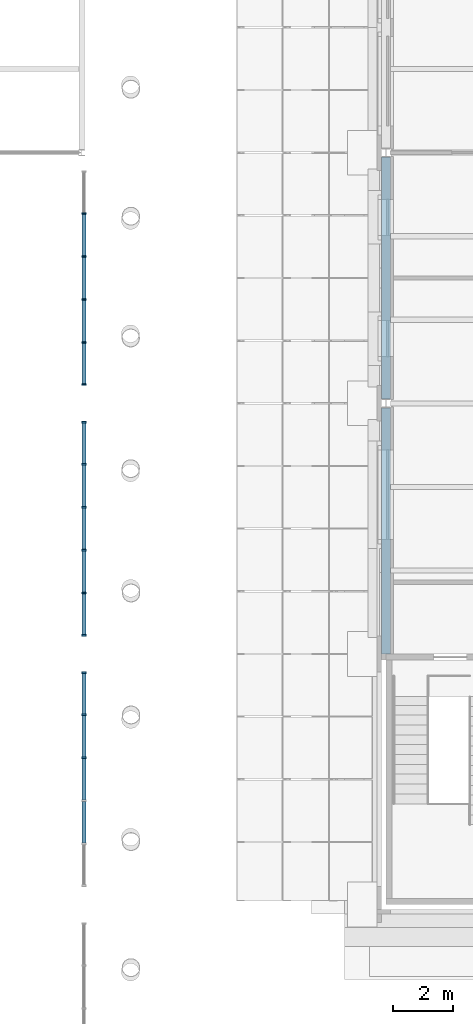
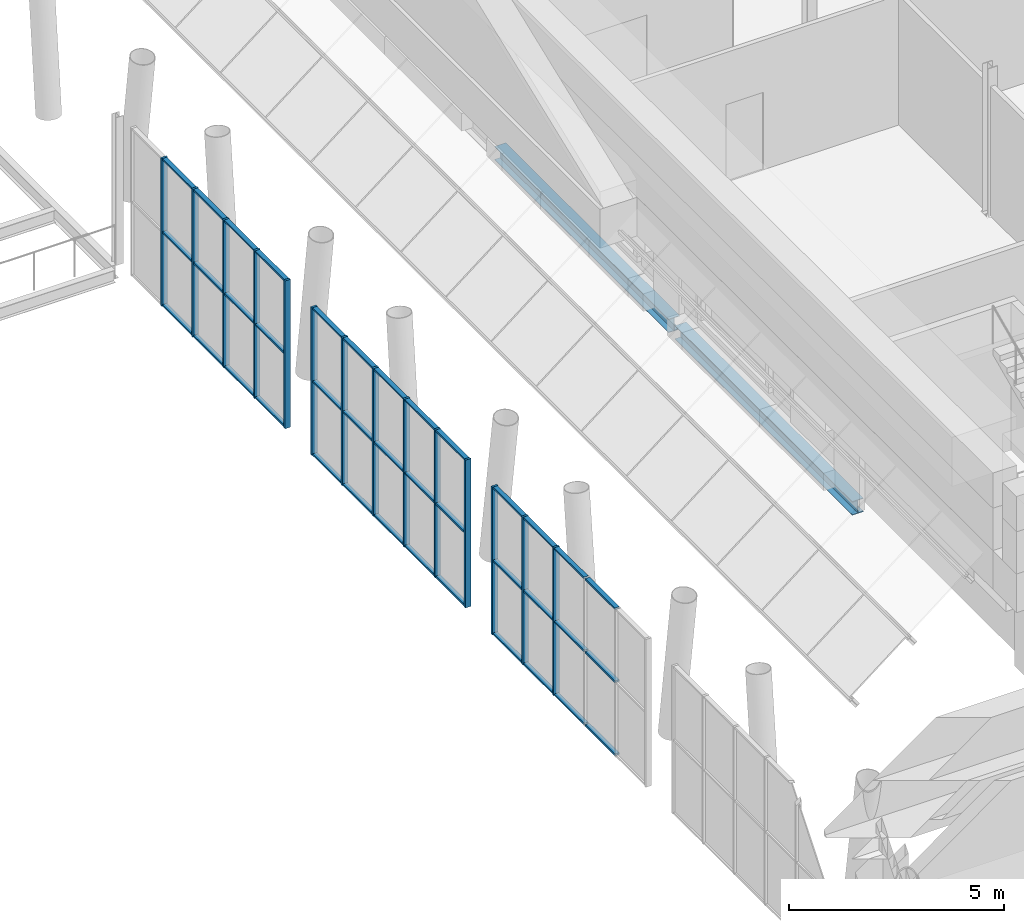
# One storey, part 27 of 76: 53 members, 2 beams, 3 elements without a shape of their own.
"""IFC4 building model written with IfcOpenShell, lengths in metres."""

from ifc_helpers import new_model, si_unit, direction, frame, origin, origin_2d, place, context, subcontext, project, spatial, rectangle, i_section, extrude, material, material_profile, profile_set, type_object, element, aggregate, save


model = new_model("IFC4")

# Units and contexts
model_context = context("Model", 3, precision=1e-05, world=origin(), true_north=direction((0.0, 1.0)))
body_context = subcontext(model_context, "Body", "Model", "MODEL_VIEW")
ifc_project = project(units=[si_unit("LENGTHUNIT", "METRE"), si_unit("AREAUNIT", "SQUARE_METRE"), si_unit("VOLUMEUNIT", "CUBIC_METRE"), si_unit("PLANEANGLEUNIT", "RADIAN"), si_unit("MASSUNIT", "GRAM", prefix="KILO")], contexts=[model_context])

# Site, building, storey
site_placement = place(None, origin())
site = spatial("IfcSite", under=ifc_project, at=site_placement, CompositionType="ELEMENT")
building_placement = place(site_placement, origin())
building = spatial("IfcBuilding", under=site, at=building_placement, Name="Sava Quay Ferry Terminal", CompositionType="ELEMENT")
storey_placement = place(building_placement, frame((0.0, 0.0, 10.800048828125)))
storey = spatial("IfcBuildingStorey", under=building, at=storey_placement, Name="L02", CompositionType="ELEMENT", Elevation=10.800048828125)

# Beams
ifc_material_1 = material(Name="Steel S355", Category="steel")
ifc_material_profile_1 = material_profile(ifc_material_1, i_section(OverallWidth=0.300048828125, OverallDepth=0.389892578125, WebThickness=0.010986328125, FlangeThickness=0.01904296875, at=origin_2d()), Name="HE 400 A")
ifc_profile_set_1 = profile_set([ifc_material_profile_1], Name="Steel S355")
beam_type = type_object("IfcBeamType", Name="Girder HE 400 A", PredefinedType="BEAM", material=ifc_profile_set_1)
beam_1_placement = place(storey_placement, frame((92.39990234375, 67.199951171875, -0.324951171875), z_axis=(0.0, 1.0, 0.0), x_axis=(-1.0, 0.0, 0.0)))
element("IfcBeam", 1, at=beam_1_placement, inside=storey, type_object=beam_type, Name="Girder L02", PredefinedType="BEAM", context=body_context, shape_type="SweptSolid", body=[
    extrude(i_section(OverallWidth=0.300048828125, OverallDepth=0.389892578125, WebThickness=0.010986328125, FlangeThickness=0.01904296875, at=origin_2d()), origin(), (0.0, 0.0, 1.0), 8.25),
])
beam_2_placement = place(storey_placement, frame((92.39990234375, 75.75, -0.324951171875), z_axis=(0.0, 1.0, 0.0), x_axis=(-1.0, 0.0, 0.0)))
element("IfcBeam", 2, at=beam_2_placement, inside=storey, type_object=beam_type, Name="Girder L02", PredefinedType="BEAM", context=body_context, shape_type="SweptSolid", body=[
    extrude(i_section(OverallWidth=0.300048828125, OverallDepth=0.389892578125, WebThickness=0.010986328125, FlangeThickness=0.01904296875, at=origin_2d()), origin(), (0.0, 0.0, 1.0), 8.10009765625),
])

# Curtain wall, members
ifc_material_2 = material(Name="Aluminium and glass curtain wall, double low-e glazed", Category="aluminium")
curtain_wall_type = type_object("IfcCurtainWallType", Name="Curtain wall CW-F flank", PredefinedType="NOTDEFINED", material=ifc_material_2)
curtain_wall_1_placement = place(storey_placement, origin())
curtain_wall_1 = element("IfcCurtainWall", 3, at=curtain_wall_1_placement, inside=storey, type_object=curtain_wall_type, Name="Curtain wall D-E L02 bay 2", PredefinedType="NOTDEFINED")
ifc_material_3 = material(Name="Aluminium EN AW-6063 T6", Category="aluminium")
ifc_material_profile_2 = material_profile(ifc_material_3, rectangle(XDim=0.14990234375, YDim=0.06005859375, at=origin_2d()), Name="Mullion 60x150 aluminium")
ifc_profile_set_2 = profile_set([ifc_material_profile_2], Name="Aluminium EN AW-6063 T6")
member_type_1 = type_object("IfcMemberType", Name="Mullion 60x150 aluminium", PredefinedType="MULLION", material=ifc_profile_set_2)
member_1_placement = place(storey_placement, frame((82.27490234375, 63.719970703125, 0.0), z_axis=(0.0, 0.0, 1.0), x_axis=(-1.0, 0.0, 0.0)))
member_1 = element("IfcMember", 4, at=member_1_placement, type_object=member_type_1, Name="CW42 mullion 4", PredefinedType="MULLION", context=body_context, shape_type="SweptSolid", body=[
    extrude(rectangle(XDim=0.14990234375, YDim=0.06005859375, at=origin_2d()), origin(), (0.0, 0.0, 1.0), 4.199951171875),
])
member_2_placement = place(storey_placement, frame((82.27490234375, 65.159912109375, 0.0), z_axis=(0.0, 0.0, 1.0), x_axis=(-1.0, 0.0, 0.0)))
member_2 = element("IfcMember", 5, at=member_2_placement, type_object=member_type_1, Name="CW42 mullion 5", PredefinedType="MULLION", context=body_context, shape_type="SweptSolid", body=[
    extrude(rectangle(XDim=0.14990234375, YDim=0.06005859375, at=origin_2d()), origin(), (0.0, 0.0, 1.0), 4.199951171875),
])
member_3_placement = place(storey_placement, frame((82.27490234375, 66.570068359375, 0.0), z_axis=(0.0, 0.0, 1.0), x_axis=(-1.0, 0.0, 0.0)))
member_3 = element("IfcMember", 6, at=member_3_placement, type_object=member_type_1, Name="CW42 mullion 6", PredefinedType="MULLION", context=body_context, shape_type="SweptSolid", body=[
    extrude(rectangle(XDim=0.14990234375, YDim=0.06005859375, at=origin_2d()), origin(), (0.0, 0.0, 1.0), 4.199951171875),
])

curtain_wall_2_placement = place(storey_placement, origin())
curtain_wall_2 = element("IfcCurtainWall", 7, at=curtain_wall_2_placement, inside=storey, type_object=curtain_wall_type, Name="Curtain wall D-E L02 bay 3", PredefinedType="NOTDEFINED")
member_4_placement = place(storey_placement, frame((82.27490234375, 67.830078125, 0.0), z_axis=(0.0, 0.0, 1.0), x_axis=(-1.0, 0.0, 0.0)))
member_4 = element("IfcMember", 8, at=member_4_placement, type_object=member_type_1, Name="CW46 mullion 1", PredefinedType="MULLION", context=body_context, shape_type="SweptSolid", body=[
    extrude(rectangle(XDim=0.14990234375, YDim=0.06005859375, at=origin_2d()), origin(), (0.0, 0.0, 1.0), 4.199951171875),
])
member_5_placement = place(storey_placement, frame((82.27490234375, 69.239990234375, 0.0), z_axis=(0.0, 0.0, 1.0), x_axis=(-1.0, 0.0, 0.0)))
member_5 = element("IfcMember", 9, at=member_5_placement, type_object=member_type_1, Name="CW46 mullion 2", PredefinedType="MULLION", context=body_context, shape_type="SweptSolid", body=[
    extrude(rectangle(XDim=0.14990234375, YDim=0.06005859375, at=origin_2d()), origin(), (0.0, 0.0, 1.0), 4.199951171875),
])
member_6_placement = place(storey_placement, frame((82.27490234375, 70.679931640625, 0.0), z_axis=(0.0, 0.0, 1.0), x_axis=(-1.0, 0.0, 0.0)))
member_6 = element("IfcMember", 10, at=member_6_placement, type_object=member_type_1, Name="CW46 mullion 3", PredefinedType="MULLION", context=body_context, shape_type="SweptSolid", body=[
    extrude(rectangle(XDim=0.14990234375, YDim=0.06005859375, at=origin_2d()), origin(), (0.0, 0.0, 1.0), 4.199951171875),
])
member_7_placement = place(storey_placement, frame((82.27490234375, 72.1201171875, 0.0), z_axis=(0.0, 0.0, 1.0), x_axis=(-1.0, 0.0, 0.0)))
member_7 = element("IfcMember", 11, at=member_7_placement, type_object=member_type_1, Name="CW46 mullion 4", PredefinedType="MULLION", context=body_context, shape_type="SweptSolid", body=[
    extrude(rectangle(XDim=0.14990234375, YDim=0.06005859375, at=origin_2d()), origin(), (0.0, 0.0, 1.0), 4.199951171875),
])
member_8_placement = place(storey_placement, frame((82.27490234375, 73.56005859375, 0.0), z_axis=(0.0, 0.0, 1.0), x_axis=(-1.0, 0.0, 0.0)))
member_8 = element("IfcMember", 12, at=member_8_placement, type_object=member_type_1, Name="CW46 mullion 5", PredefinedType="MULLION", context=body_context, shape_type="SweptSolid", body=[
    extrude(rectangle(XDim=0.14990234375, YDim=0.06005859375, at=origin_2d()), origin(), (0.0, 0.0, 1.0), 4.199951171875),
])
member_9_placement = place(storey_placement, frame((82.27490234375, 74.969970703125, 0.0), z_axis=(0.0, 0.0, 1.0), x_axis=(-1.0, 0.0, 0.0)))
member_9 = element("IfcMember", 13, at=member_9_placement, type_object=member_type_1, Name="CW46 mullion 6", PredefinedType="MULLION", context=body_context, shape_type="SweptSolid", body=[
    extrude(rectangle(XDim=0.14990234375, YDim=0.06005859375, at=origin_2d()), origin(), (0.0, 0.0, 1.0), 4.199951171875),
])

curtain_wall_3_placement = place(storey_placement, origin())
curtain_wall_3 = element("IfcCurtainWall", 14, at=curtain_wall_3_placement, inside=storey, type_object=curtain_wall_type, Name="Curtain wall D-E L02 bay 4", PredefinedType="NOTDEFINED")
member_10_placement = place(storey_placement, frame((82.27490234375, 76.22998046875, 0.0), z_axis=(0.0, 0.0, 1.0), x_axis=(-1.0, 0.0, 0.0)))
member_10 = element("IfcMember", 15, at=member_10_placement, type_object=member_type_1, Name="CW49 mullion 1", PredefinedType="MULLION", context=body_context, shape_type="SweptSolid", body=[
    extrude(rectangle(XDim=0.14990234375, YDim=0.06005859375, at=origin_2d()), origin(), (0.0, 0.0, 1.0), 4.199951171875),
])
member_11_placement = place(storey_placement, frame((82.27490234375, 77.639892578125, 0.0), z_axis=(0.0, 0.0, 1.0), x_axis=(-1.0, 0.0, 0.0)))
member_11 = element("IfcMember", 16, at=member_11_placement, type_object=member_type_1, Name="CW49 mullion 2", PredefinedType="MULLION", context=body_context, shape_type="SweptSolid", body=[
    extrude(rectangle(XDim=0.14990234375, YDim=0.06005859375, at=origin_2d()), origin(), (0.0, 0.0, 1.0), 4.199951171875),
])
member_12_placement = place(storey_placement, frame((82.27490234375, 79.080078125, 0.0), z_axis=(0.0, 0.0, 1.0), x_axis=(-1.0, 0.0, 0.0)))
member_12 = element("IfcMember", 17, at=member_12_placement, type_object=member_type_1, Name="CW49 mullion 3", PredefinedType="MULLION", context=body_context, shape_type="SweptSolid", body=[
    extrude(rectangle(XDim=0.14990234375, YDim=0.06005859375, at=origin_2d()), origin(), (0.0, 0.0, 1.0), 4.199951171875),
])
member_13_placement = place(storey_placement, frame((82.27490234375, 80.52001953125, 0.0), z_axis=(0.0, 0.0, 1.0), x_axis=(-1.0, 0.0, 0.0)))
member_13 = element("IfcMember", 18, at=member_13_placement, type_object=member_type_1, Name="CW49 mullion 4", PredefinedType="MULLION", context=body_context, shape_type="SweptSolid", body=[
    extrude(rectangle(XDim=0.14990234375, YDim=0.06005859375, at=origin_2d()), origin(), (0.0, 0.0, 1.0), 4.199951171875),
])
member_14_placement = place(storey_placement, frame((82.27490234375, 81.9599609375, 0.0), z_axis=(0.0, 0.0, 1.0), x_axis=(-1.0, 0.0, 0.0)))
member_14 = element("IfcMember", 19, at=member_14_placement, type_object=member_type_1, Name="CW49 mullion 5", PredefinedType="MULLION", context=body_context, shape_type="SweptSolid", body=[
    extrude(rectangle(XDim=0.14990234375, YDim=0.06005859375, at=origin_2d()), origin(), (0.0, 0.0, 1.0), 4.199951171875),
])

# Member
ifc_material_4 = material(Name="Aluminium EN AW-6063 T6", Category="aluminium")
ifc_material_profile_3 = material_profile(ifc_material_4, rectangle(XDim=0.1201171875, YDim=0.050048828125, at=origin_2d()), Name="Transom 50x120 aluminium")
ifc_profile_set_3 = profile_set([ifc_material_profile_3], Name="Aluminium EN AW-6063 T6")
member_type_2 = type_object("IfcMemberType", Name="Transom 50x120 aluminium", PredefinedType="USERDEFINED", material=ifc_profile_set_3)
member_15_placement = place(storey_placement, frame((82.27490234375, 60.8701171875, 0.02490234375), z_axis=(0.0, 1.0, 0.0), x_axis=(-1.0, 0.0, 0.0)))
member_15 = element("IfcMember", 20, at=member_15_placement, type_object=member_type_2, Name="CW42 transom 2.1", ObjectType="TRANSOM", PredefinedType="USERDEFINED", context=body_context, shape_type="SweptSolid", body=[
    extrude(rectangle(XDim=0.1201171875, YDim=0.050048828125, at=origin_2d()), origin(), (0.0, 0.0, 1.0), 1.3798828125),
])

member_16_placement = place(storey_placement, frame((82.27490234375, 60.8701171875, 2.099853515625), z_axis=(0.0, 1.0, 0.0), x_axis=(-1.0, 0.0, 0.0)))
member_16 = element("IfcMember", 21, at=member_16_placement, type_object=member_type_2, Name="CW42 transom 2.2", ObjectType="TRANSOM", PredefinedType="USERDEFINED", context=body_context, shape_type="SweptSolid", body=[
    extrude(rectangle(XDim=0.1201171875, YDim=0.050048828125, at=origin_2d()), origin(), (0.0, 0.0, 1.0), 1.3798828125),
])

member_17_placement = place(storey_placement, frame((82.27490234375, 60.8701171875, 4.175048828125), z_axis=(0.0, 1.0, 0.0), x_axis=(-1.0, 0.0, 0.0)))
member_17 = element("IfcMember", 22, at=member_17_placement, type_object=member_type_2, Name="CW42 transom 2.3", ObjectType="TRANSOM", PredefinedType="USERDEFINED", context=body_context, shape_type="SweptSolid", body=[
    extrude(rectangle(XDim=0.1201171875, YDim=0.050048828125, at=origin_2d()), origin(), (0.0, 0.0, 1.0), 1.3798828125),
])

member_18_placement = place(storey_placement, frame((82.27490234375, 62.31005859375, 0.02490234375), z_axis=(0.0, 1.0, 0.0), x_axis=(-1.0, 0.0, 0.0)))
member_18 = element("IfcMember", 23, at=member_18_placement, type_object=member_type_2, Name="CW42 transom 3.1", ObjectType="TRANSOM", PredefinedType="USERDEFINED", context=body_context, shape_type="SweptSolid", body=[
    extrude(rectangle(XDim=0.1201171875, YDim=0.050048828125, at=origin_2d()), origin(), (0.0, 0.0, 1.0), 1.3798828125),
])

member_19_placement = place(storey_placement, frame((82.27490234375, 62.31005859375, 2.099853515625), z_axis=(0.0, 1.0, 0.0), x_axis=(-1.0, 0.0, 0.0)))
member_19 = element("IfcMember", 24, at=member_19_placement, type_object=member_type_2, Name="CW42 transom 3.2", ObjectType="TRANSOM", PredefinedType="USERDEFINED", context=body_context, shape_type="SweptSolid", body=[
    extrude(rectangle(XDim=0.1201171875, YDim=0.050048828125, at=origin_2d()), origin(), (0.0, 0.0, 1.0), 1.3798828125),
])

member_20_placement = place(storey_placement, frame((82.27490234375, 62.31005859375, 4.175048828125), z_axis=(0.0, 1.0, 0.0), x_axis=(-1.0, 0.0, 0.0)))
member_20 = element("IfcMember", 25, at=member_20_placement, type_object=member_type_2, Name="CW42 transom 3.3", ObjectType="TRANSOM", PredefinedType="USERDEFINED", context=body_context, shape_type="SweptSolid", body=[
    extrude(rectangle(XDim=0.1201171875, YDim=0.050048828125, at=origin_2d()), origin(), (0.0, 0.0, 1.0), 1.3798828125),
])

member_21_placement = place(storey_placement, frame((82.27490234375, 63.75, 0.02490234375), z_axis=(0.0, 1.0, 0.0), x_axis=(-1.0, 0.0, 0.0)))
member_21 = element("IfcMember", 26, at=member_21_placement, type_object=member_type_2, Name="CW42 transom 4.1", ObjectType="TRANSOM", PredefinedType="USERDEFINED", context=body_context, shape_type="SweptSolid", body=[
    extrude(rectangle(XDim=0.1201171875, YDim=0.050048828125, at=origin_2d()), origin(), (0.0, 0.0, 1.0), 1.3798828125),
])

member_22_placement = place(storey_placement, frame((82.27490234375, 63.75, 2.099853515625), z_axis=(0.0, 1.0, 0.0), x_axis=(-1.0, 0.0, 0.0)))
member_22 = element("IfcMember", 27, at=member_22_placement, type_object=member_type_2, Name="CW42 transom 4.2", ObjectType="TRANSOM", PredefinedType="USERDEFINED", context=body_context, shape_type="SweptSolid", body=[
    extrude(rectangle(XDim=0.1201171875, YDim=0.050048828125, at=origin_2d()), origin(), (0.0, 0.0, 1.0), 1.3798828125),
])

member_23_placement = place(storey_placement, frame((82.27490234375, 63.75, 4.175048828125), z_axis=(0.0, 1.0, 0.0), x_axis=(-1.0, 0.0, 0.0)))
member_23 = element("IfcMember", 28, at=member_23_placement, type_object=member_type_2, Name="CW42 transom 4.3", ObjectType="TRANSOM", PredefinedType="USERDEFINED", context=body_context, shape_type="SweptSolid", body=[
    extrude(rectangle(XDim=0.1201171875, YDim=0.050048828125, at=origin_2d()), origin(), (0.0, 0.0, 1.0), 1.3798828125),
])

member_24_placement = place(storey_placement, frame((82.27490234375, 65.18994140625, 0.02490234375), z_axis=(0.0, 1.0, 0.0), x_axis=(-1.0, 0.0, 0.0)))
member_24 = element("IfcMember", 29, at=member_24_placement, type_object=member_type_2, Name="CW42 transom 5.1", ObjectType="TRANSOM", PredefinedType="USERDEFINED", context=body_context, shape_type="SweptSolid", body=[
    extrude(rectangle(XDim=0.1201171875, YDim=0.050048828125, at=origin_2d()), origin(), (0.0, 0.0, 1.0), 1.35009765625),
])

member_25_placement = place(storey_placement, frame((82.27490234375, 65.18994140625, 2.099853515625), z_axis=(0.0, 1.0, 0.0), x_axis=(-1.0, 0.0, 0.0)))
member_25 = element("IfcMember", 30, at=member_25_placement, type_object=member_type_2, Name="CW42 transom 5.2", ObjectType="TRANSOM", PredefinedType="USERDEFINED", context=body_context, shape_type="SweptSolid", body=[
    extrude(rectangle(XDim=0.1201171875, YDim=0.050048828125, at=origin_2d()), origin(), (0.0, 0.0, 1.0), 1.35009765625),
])

member_26_placement = place(storey_placement, frame((82.27490234375, 65.18994140625, 4.175048828125), z_axis=(0.0, 1.0, 0.0), x_axis=(-1.0, 0.0, 0.0)))
member_26 = element("IfcMember", 31, at=member_26_placement, type_object=member_type_2, Name="CW42 transom 5.3", ObjectType="TRANSOM", PredefinedType="USERDEFINED", context=body_context, shape_type="SweptSolid", body=[
    extrude(rectangle(XDim=0.1201171875, YDim=0.050048828125, at=origin_2d()), origin(), (0.0, 0.0, 1.0), 1.35009765625),
])

aggregate(curtain_wall_1, [member_1, member_2, member_3, member_15, member_16, member_17, member_18, member_19, member_20, member_21, member_22, member_23, member_24, member_25, member_26])

member_27_placement = place(storey_placement, frame((82.27490234375, 67.860107421875, 0.02490234375), z_axis=(0.0, 1.0, 0.0), x_axis=(-1.0, 0.0, 0.0)))
member_27 = element("IfcMember", 32, at=member_27_placement, type_object=member_type_2, Name="CW46 transom 1.1", ObjectType="TRANSOM", PredefinedType="USERDEFINED", context=body_context, shape_type="SweptSolid", body=[
    extrude(rectangle(XDim=0.1201171875, YDim=0.050048828125, at=origin_2d()), origin(), (0.0, 0.0, 1.0), 1.349853515625),
])

member_28_placement = place(storey_placement, frame((82.27490234375, 67.860107421875, 2.099853515625), z_axis=(0.0, 1.0, 0.0), x_axis=(-1.0, 0.0, 0.0)))
member_28 = element("IfcMember", 33, at=member_28_placement, type_object=member_type_2, Name="CW46 transom 1.2", ObjectType="TRANSOM", PredefinedType="USERDEFINED", context=body_context, shape_type="SweptSolid", body=[
    extrude(rectangle(XDim=0.1201171875, YDim=0.050048828125, at=origin_2d()), origin(), (0.0, 0.0, 1.0), 1.349853515625),
])

member_29_placement = place(storey_placement, frame((82.27490234375, 67.860107421875, 4.175048828125), z_axis=(0.0, 1.0, 0.0), x_axis=(-1.0, 0.0, 0.0)))
member_29 = element("IfcMember", 34, at=member_29_placement, type_object=member_type_2, Name="CW46 transom 1.3", ObjectType="TRANSOM", PredefinedType="USERDEFINED", context=body_context, shape_type="SweptSolid", body=[
    extrude(rectangle(XDim=0.1201171875, YDim=0.050048828125, at=origin_2d()), origin(), (0.0, 0.0, 1.0), 1.349853515625),
])

member_30_placement = place(storey_placement, frame((82.27490234375, 69.27001953125, 0.02490234375), z_axis=(0.0, 1.0, 0.0), x_axis=(-1.0, 0.0, 0.0)))
member_30 = element("IfcMember", 35, at=member_30_placement, type_object=member_type_2, Name="CW46 transom 2.1", ObjectType="TRANSOM", PredefinedType="USERDEFINED", context=body_context, shape_type="SweptSolid", body=[
    extrude(rectangle(XDim=0.1201171875, YDim=0.050048828125, at=origin_2d()), origin(), (0.0, 0.0, 1.0), 1.3798828125),
])

member_31_placement = place(storey_placement, frame((82.27490234375, 69.27001953125, 2.099853515625), z_axis=(0.0, 1.0, 0.0), x_axis=(-1.0, 0.0, 0.0)))
member_31 = element("IfcMember", 36, at=member_31_placement, type_object=member_type_2, Name="CW46 transom 2.2", ObjectType="TRANSOM", PredefinedType="USERDEFINED", context=body_context, shape_type="SweptSolid", body=[
    extrude(rectangle(XDim=0.1201171875, YDim=0.050048828125, at=origin_2d()), origin(), (0.0, 0.0, 1.0), 1.3798828125),
])

member_32_placement = place(storey_placement, frame((82.27490234375, 69.27001953125, 4.175048828125), z_axis=(0.0, 1.0, 0.0), x_axis=(-1.0, 0.0, 0.0)))
member_32 = element("IfcMember", 37, at=member_32_placement, type_object=member_type_2, Name="CW46 transom 2.3", ObjectType="TRANSOM", PredefinedType="USERDEFINED", context=body_context, shape_type="SweptSolid", body=[
    extrude(rectangle(XDim=0.1201171875, YDim=0.050048828125, at=origin_2d()), origin(), (0.0, 0.0, 1.0), 1.3798828125),
])

member_33_placement = place(storey_placement, frame((82.27490234375, 70.7099609375, 0.02490234375), z_axis=(0.0, 1.0, 0.0), x_axis=(-1.0, 0.0, 0.0)))
member_33 = element("IfcMember", 38, at=member_33_placement, type_object=member_type_2, Name="CW46 transom 3.1", ObjectType="TRANSOM", PredefinedType="USERDEFINED", context=body_context, shape_type="SweptSolid", body=[
    extrude(rectangle(XDim=0.1201171875, YDim=0.050048828125, at=origin_2d()), origin(), (0.0, 0.0, 1.0), 1.380126953125),
])

member_34_placement = place(storey_placement, frame((82.27490234375, 70.7099609375, 2.099853515625), z_axis=(0.0, 1.0, 0.0), x_axis=(-1.0, 0.0, 0.0)))
member_34 = element("IfcMember", 39, at=member_34_placement, type_object=member_type_2, Name="CW46 transom 3.2", ObjectType="TRANSOM", PredefinedType="USERDEFINED", context=body_context, shape_type="SweptSolid", body=[
    extrude(rectangle(XDim=0.1201171875, YDim=0.050048828125, at=origin_2d()), origin(), (0.0, 0.0, 1.0), 1.380126953125),
])

member_35_placement = place(storey_placement, frame((82.27490234375, 70.7099609375, 4.175048828125), z_axis=(0.0, 1.0, 0.0), x_axis=(-1.0, 0.0, 0.0)))
member_35 = element("IfcMember", 40, at=member_35_placement, type_object=member_type_2, Name="CW46 transom 3.3", ObjectType="TRANSOM", PredefinedType="USERDEFINED", context=body_context, shape_type="SweptSolid", body=[
    extrude(rectangle(XDim=0.1201171875, YDim=0.050048828125, at=origin_2d()), origin(), (0.0, 0.0, 1.0), 1.380126953125),
])

member_36_placement = place(storey_placement, frame((82.27490234375, 72.14990234375, 0.02490234375), z_axis=(0.0, 1.0, 0.0), x_axis=(-1.0, 0.0, 0.0)))
member_36 = element("IfcMember", 41, at=member_36_placement, type_object=member_type_2, Name="CW46 transom 4.1", ObjectType="TRANSOM", PredefinedType="USERDEFINED", context=body_context, shape_type="SweptSolid", body=[
    extrude(rectangle(XDim=0.1201171875, YDim=0.050048828125, at=origin_2d()), origin(), (0.0, 0.0, 1.0), 1.380126953125),
])

member_37_placement = place(storey_placement, frame((82.27490234375, 72.14990234375, 2.099853515625), z_axis=(0.0, 1.0, 0.0), x_axis=(-1.0, 0.0, 0.0)))
member_37 = element("IfcMember", 42, at=member_37_placement, type_object=member_type_2, Name="CW46 transom 4.2", ObjectType="TRANSOM", PredefinedType="USERDEFINED", context=body_context, shape_type="SweptSolid", body=[
    extrude(rectangle(XDim=0.1201171875, YDim=0.050048828125, at=origin_2d()), origin(), (0.0, 0.0, 1.0), 1.380126953125),
])

member_38_placement = place(storey_placement, frame((82.27490234375, 72.14990234375, 4.175048828125), z_axis=(0.0, 1.0, 0.0), x_axis=(-1.0, 0.0, 0.0)))
member_38 = element("IfcMember", 43, at=member_38_placement, type_object=member_type_2, Name="CW46 transom 4.3", ObjectType="TRANSOM", PredefinedType="USERDEFINED", context=body_context, shape_type="SweptSolid", body=[
    extrude(rectangle(XDim=0.1201171875, YDim=0.050048828125, at=origin_2d()), origin(), (0.0, 0.0, 1.0), 1.380126953125),
])

member_39_placement = place(storey_placement, frame((82.27490234375, 73.590087890625, 0.02490234375), z_axis=(0.0, 1.0, 0.0), x_axis=(-1.0, 0.0, 0.0)))
member_39 = element("IfcMember", 44, at=member_39_placement, type_object=member_type_2, Name="CW46 transom 5.1", ObjectType="TRANSOM", PredefinedType="USERDEFINED", context=body_context, shape_type="SweptSolid", body=[
    extrude(rectangle(XDim=0.1201171875, YDim=0.050048828125, at=origin_2d()), origin(), (0.0, 0.0, 1.0), 1.349853515625),
])

member_40_placement = place(storey_placement, frame((82.27490234375, 73.590087890625, 2.099853515625), z_axis=(0.0, 1.0, 0.0), x_axis=(-1.0, 0.0, 0.0)))
member_40 = element("IfcMember", 45, at=member_40_placement, type_object=member_type_2, Name="CW46 transom 5.2", ObjectType="TRANSOM", PredefinedType="USERDEFINED", context=body_context, shape_type="SweptSolid", body=[
    extrude(rectangle(XDim=0.1201171875, YDim=0.050048828125, at=origin_2d()), origin(), (0.0, 0.0, 1.0), 1.349853515625),
])

member_41_placement = place(storey_placement, frame((82.27490234375, 73.590087890625, 4.175048828125), z_axis=(0.0, 1.0, 0.0), x_axis=(-1.0, 0.0, 0.0)))
member_41 = element("IfcMember", 46, at=member_41_placement, type_object=member_type_2, Name="CW46 transom 5.3", ObjectType="TRANSOM", PredefinedType="USERDEFINED", context=body_context, shape_type="SweptSolid", body=[
    extrude(rectangle(XDim=0.1201171875, YDim=0.050048828125, at=origin_2d()), origin(), (0.0, 0.0, 1.0), 1.349853515625),
])

aggregate(curtain_wall_2, [member_4, member_5, member_6, member_7, member_8, member_9, member_27, member_28, member_29, member_30, member_31, member_32, member_33, member_34, member_35, member_36, member_37, member_38, member_39, member_40, member_41])

member_42_placement = place(storey_placement, frame((82.27490234375, 76.260009765625, 0.02490234375), z_axis=(0.0, 1.0, 0.0), x_axis=(-1.0, 0.0, 0.0)))
member_42 = element("IfcMember", 47, at=member_42_placement, type_object=member_type_2, Name="CW49 transom 1.1", ObjectType="TRANSOM", PredefinedType="USERDEFINED", context=body_context, shape_type="SweptSolid", body=[
    extrude(rectangle(XDim=0.1201171875, YDim=0.050048828125, at=origin_2d()), origin(), (0.0, 0.0, 1.0), 1.35009765625),
])

member_43_placement = place(storey_placement, frame((82.27490234375, 76.260009765625, 2.099853515625), z_axis=(0.0, 1.0, 0.0), x_axis=(-1.0, 0.0, 0.0)))
member_43 = element("IfcMember", 48, at=member_43_placement, type_object=member_type_2, Name="CW49 transom 1.2", ObjectType="TRANSOM", PredefinedType="USERDEFINED", context=body_context, shape_type="SweptSolid", body=[
    extrude(rectangle(XDim=0.1201171875, YDim=0.050048828125, at=origin_2d()), origin(), (0.0, 0.0, 1.0), 1.35009765625),
])

member_44_placement = place(storey_placement, frame((82.27490234375, 76.260009765625, 4.175048828125), z_axis=(0.0, 1.0, 0.0), x_axis=(-1.0, 0.0, 0.0)))
member_44 = element("IfcMember", 49, at=member_44_placement, type_object=member_type_2, Name="CW49 transom 1.3", ObjectType="TRANSOM", PredefinedType="USERDEFINED", context=body_context, shape_type="SweptSolid", body=[
    extrude(rectangle(XDim=0.1201171875, YDim=0.050048828125, at=origin_2d()), origin(), (0.0, 0.0, 1.0), 1.35009765625),
])

member_45_placement = place(storey_placement, frame((82.27490234375, 77.669921875, 0.02490234375), z_axis=(0.0, 1.0, 0.0), x_axis=(-1.0, 0.0, 0.0)))
member_45 = element("IfcMember", 50, at=member_45_placement, type_object=member_type_2, Name="CW49 transom 2.1", ObjectType="TRANSOM", PredefinedType="USERDEFINED", context=body_context, shape_type="SweptSolid", body=[
    extrude(rectangle(XDim=0.1201171875, YDim=0.050048828125, at=origin_2d()), origin(), (0.0, 0.0, 1.0), 1.380126953125),
])

member_46_placement = place(storey_placement, frame((82.27490234375, 77.669921875, 2.099853515625), z_axis=(0.0, 1.0, 0.0), x_axis=(-1.0, 0.0, 0.0)))
member_46 = element("IfcMember", 51, at=member_46_placement, type_object=member_type_2, Name="CW49 transom 2.2", ObjectType="TRANSOM", PredefinedType="USERDEFINED", context=body_context, shape_type="SweptSolid", body=[
    extrude(rectangle(XDim=0.1201171875, YDim=0.050048828125, at=origin_2d()), origin(), (0.0, 0.0, 1.0), 1.380126953125),
])

member_47_placement = place(storey_placement, frame((82.27490234375, 77.669921875, 4.175048828125), z_axis=(0.0, 1.0, 0.0), x_axis=(-1.0, 0.0, 0.0)))
member_47 = element("IfcMember", 52, at=member_47_placement, type_object=member_type_2, Name="CW49 transom 2.3", ObjectType="TRANSOM", PredefinedType="USERDEFINED", context=body_context, shape_type="SweptSolid", body=[
    extrude(rectangle(XDim=0.1201171875, YDim=0.050048828125, at=origin_2d()), origin(), (0.0, 0.0, 1.0), 1.380126953125),
])

member_48_placement = place(storey_placement, frame((82.27490234375, 79.110107421875, 0.02490234375), z_axis=(0.0, 1.0, 0.0), x_axis=(-1.0, 0.0, 0.0)))
member_48 = element("IfcMember", 53, at=member_48_placement, type_object=member_type_2, Name="CW49 transom 3.1", ObjectType="TRANSOM", PredefinedType="USERDEFINED", context=body_context, shape_type="SweptSolid", body=[
    extrude(rectangle(XDim=0.1201171875, YDim=0.050048828125, at=origin_2d()), origin(), (0.0, 0.0, 1.0), 1.3798828125),
])

member_49_placement = place(storey_placement, frame((82.27490234375, 79.110107421875, 2.099853515625), z_axis=(0.0, 1.0, 0.0), x_axis=(-1.0, 0.0, 0.0)))
member_49 = element("IfcMember", 54, at=member_49_placement, type_object=member_type_2, Name="CW49 transom 3.2", ObjectType="TRANSOM", PredefinedType="USERDEFINED", context=body_context, shape_type="SweptSolid", body=[
    extrude(rectangle(XDim=0.1201171875, YDim=0.050048828125, at=origin_2d()), origin(), (0.0, 0.0, 1.0), 1.3798828125),
])

member_50_placement = place(storey_placement, frame((82.27490234375, 79.110107421875, 4.175048828125), z_axis=(0.0, 1.0, 0.0), x_axis=(-1.0, 0.0, 0.0)))
member_50 = element("IfcMember", 55, at=member_50_placement, type_object=member_type_2, Name="CW49 transom 3.3", ObjectType="TRANSOM", PredefinedType="USERDEFINED", context=body_context, shape_type="SweptSolid", body=[
    extrude(rectangle(XDim=0.1201171875, YDim=0.050048828125, at=origin_2d()), origin(), (0.0, 0.0, 1.0), 1.3798828125),
])

member_51_placement = place(storey_placement, frame((82.27490234375, 80.550048828125, 0.02490234375), z_axis=(0.0, 1.0, 0.0), x_axis=(-1.0, 0.0, 0.0)))
member_51 = element("IfcMember", 56, at=member_51_placement, type_object=member_type_2, Name="CW49 transom 4.1", ObjectType="TRANSOM", PredefinedType="USERDEFINED", context=body_context, shape_type="SweptSolid", body=[
    extrude(rectangle(XDim=0.1201171875, YDim=0.050048828125, at=origin_2d()), origin(), (0.0, 0.0, 1.0), 1.3798828125),
])

member_52_placement = place(storey_placement, frame((82.27490234375, 80.550048828125, 2.099853515625), z_axis=(0.0, 1.0, 0.0), x_axis=(-1.0, 0.0, 0.0)))
member_52 = element("IfcMember", 57, at=member_52_placement, type_object=member_type_2, Name="CW49 transom 4.2", ObjectType="TRANSOM", PredefinedType="USERDEFINED", context=body_context, shape_type="SweptSolid", body=[
    extrude(rectangle(XDim=0.1201171875, YDim=0.050048828125, at=origin_2d()), origin(), (0.0, 0.0, 1.0), 1.3798828125),
])

member_53_placement = place(storey_placement, frame((82.27490234375, 80.550048828125, 4.175048828125), z_axis=(0.0, 1.0, 0.0), x_axis=(-1.0, 0.0, 0.0)))
member_53 = element("IfcMember", 58, at=member_53_placement, type_object=member_type_2, Name="CW49 transom 4.3", ObjectType="TRANSOM", PredefinedType="USERDEFINED", context=body_context, shape_type="SweptSolid", body=[
    extrude(rectangle(XDim=0.1201171875, YDim=0.050048828125, at=origin_2d()), origin(), (0.0, 0.0, 1.0), 1.3798828125),
])

aggregate(curtain_wall_3, [member_10, member_11, member_12, member_13, member_14, member_42, member_43, member_44, member_45, member_46, member_47, member_48, member_49, member_50, member_51, member_52, member_53])

save(model, "model.ifc")
